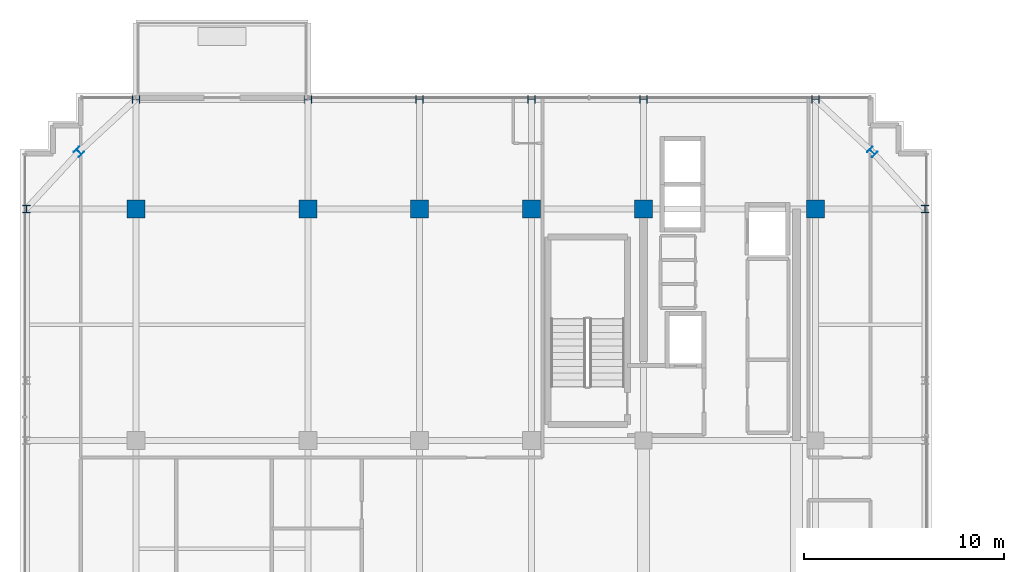
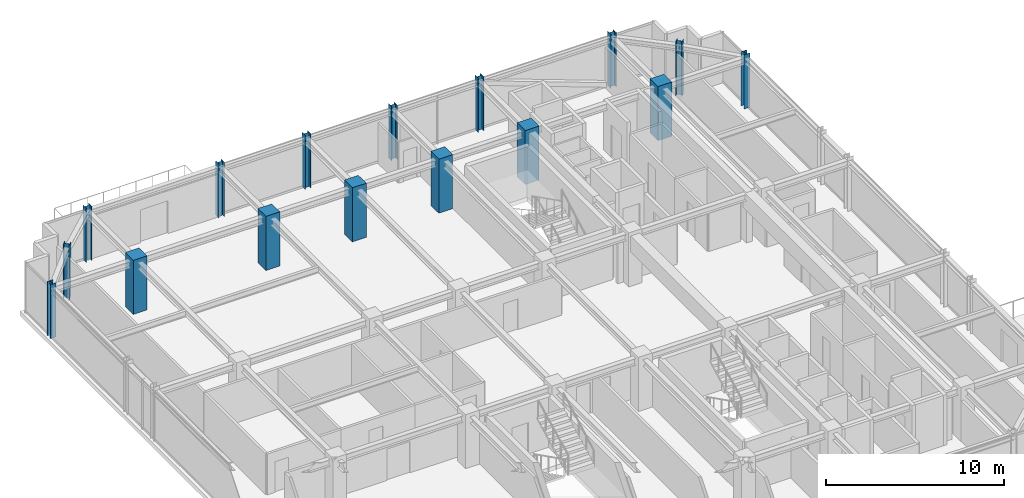
# One storey, part 3 of 31: 16 columns.
"""IFC4 building model written with IfcOpenShell, lengths in metres."""

from ifc_helpers import new_model, si_unit, direction, frame, origin, origin_2d, place, context, subcontext, project, spatial, rectangle, i_section, extrude, source, transform, mapped, material, material_profile, profile_set, type_object, element, save


model = new_model("IFC4")

# Units and contexts
model_context = context("Model", 3, precision=1e-05, world=origin(), true_north=direction((0.0, 1.0)))
body_context = subcontext(model_context, "Body", "Model", "MODEL_VIEW")
ifc_project = project(units=[si_unit("LENGTHUNIT", "METRE"), si_unit("AREAUNIT", "SQUARE_METRE"), si_unit("VOLUMEUNIT", "CUBIC_METRE"), si_unit("PLANEANGLEUNIT", "RADIAN"), si_unit("MASSUNIT", "GRAM", prefix="KILO")], contexts=[model_context])

# Site, building, storey
site_placement = place(None, origin())
site = spatial("IfcSite", under=ifc_project, at=site_placement, CompositionType="ELEMENT")
building_placement = place(site_placement, origin())
building = spatial("IfcBuilding", under=site, at=building_placement, Name="Nahalor Promenade Grand Hotel", CompositionType="ELEMENT")
storey_placement = place(building_placement, frame((0.0, 0.0, 281.300048828125)))
storey = spatial("IfcBuildingStorey", under=building, at=storey_placement, Name="L72", CompositionType="ELEMENT", Elevation=281.300048828125)

# Columns
ifc_material_1 = material(Name="Concrete B-50 (C40/50)", Category="concrete")
ifc_material_profile_1 = material_profile(ifc_material_1, rectangle(XDim=0.9, YDim=0.9, at=origin_2d()), Name="RC 900x900")
ifc_profile_set_1 = profile_set([ifc_material_profile_1], Name="Concrete B-50 (C40/50)")
column_type_1 = type_object("IfcColumnType", Name="Col-RC-900", PredefinedType="COLUMN", material=ifc_profile_set_1)
shared_shape_1 = source(origin(), body_context, "Body", "SweptSolid", [
    extrude(rectangle(XDim=0.9, YDim=0.9, at=origin_2d()), origin(), (0.0, 0.0, 1.0), 3.704833984375),
])
for number, where, z_axis, x_axis, name in (
    (1, (-17.0, 17.0, 0.0), (0.0, 0.0, 1.0), (1.0, 0.0, 0.0), "COL-L72-I03"),
    (2, (-8.39990234375, 17.0, 0.0), (0.0, 0.0, 1.0), (1.0, 0.0, 0.0), "COL-L72-I13"),
    (3, (-2.800048828125, 17.0, 0.0), (0.0, 0.0, 1.0), (1.0, 0.0, 0.0), "COL-L72-I23"),
    (4, (2.800048828125, 17.0, 0.0), (0.0, 0.0, 1.0), (1.0, 0.0, 0.0), "COL-L72-I33"),
    (5, (8.39990234375, 17.0, 0.0), (0.0, 0.0, 1.0), (1.0, 0.0, 0.0), "COL-L72-I43"),
    (6, (17.0, 17.0, 0.0), (0.0, 0.0, 1.0), (1.0, 0.0, 0.0), "COL-L72-I53"),
):
    element("IfcColumn", number, at=place(storey_placement, frame(where, z_axis=z_axis, x_axis=x_axis)), inside=storey, type_object=column_type_1, Name=name, PredefinedType="COLUMN", context=body_context, shape_type="MappedRepresentation", body=[
        mapped(shared_shape_1, transform((0.0, 0.0, 0.0), scale=1.0)),
    ])
ifc_material_2 = material(Name="Steel S355JR", Category="steel")
ifc_material_profile_2 = material_profile(ifc_material_2, i_section(OverallWidth=0.374, OverallDepth=0.374, WebThickness=0.0144, FlangeThickness=0.0229, at=origin_2d()), Name="HD 360x262")
ifc_profile_set_2 = profile_set([ifc_material_profile_2], Name="Steel S355JR")
column_type_2 = type_object("IfcColumnType", Name="Col-Steel-HD262", PredefinedType="COLUMN", material=ifc_profile_set_2)
shared_shape_2 = source(origin(), body_context, "Body", "SweptSolid", [
    extrude(i_section(OverallWidth=0.374, OverallDepth=0.374, WebThickness=0.0144, FlangeThickness=0.0229, at=origin_2d()), origin(), (0.0, 0.0, 1.0), 3.704833984375),
])
for number, where, z_axis, x_axis, name in (
    (7, (-22.47998046875, 17.0, 0.0), (0.0, 0.0, 1.0), (1.0, 0.0, 0.0), "COL-L72-PW-W5"),
    (8, (22.47998046875, 17.0, 0.0), (0.0, 0.0, 1.0), (1.0, 0.0, 0.0), "COL-L72-PW-E5"),
    (9, (-17.0, 22.47998046875, 0.0), (0.0, 0.0, 1.0), (0.0, 1.0, 0.0), "COL-L72-PN-N0"),
    (10, (-8.39990234375, 22.47998046875, 0.0), (0.0, 0.0, 1.0), (0.0, 1.0, 0.0), "COL-L72-PN-N1"),
    (11, (-2.800048828125, 22.47998046875, 0.0), (0.0, 0.0, 1.0), (0.0, 1.0, 0.0), "COL-L72-PN-N2"),
    (12, (2.800048828125, 22.47998046875, 0.0), (0.0, 0.0, 1.0), (0.0, 1.0, 0.0), "COL-L72-PN-N3"),
    (13, (8.39990234375, 22.47998046875, 0.0), (0.0, 0.0, 1.0), (0.0, 1.0, 0.0), "COL-L72-PN-N4"),
    (14, (17.0, 22.47998046875, 0.0), (0.0, 0.0, 1.0), (0.0, 1.0, 0.0), "COL-L72-PN-N5"),
    (15, (-19.85009765625, 19.85009765625, 0.0), (0.0, 0.0, 1.0), (0.707106781187, 0.707106781187, 0.0), "COL-L72-CRN-NW"),
    (16, (19.85009765625, 19.85009765625, 0.0), (0.0, 0.0, 1.0), (0.707106781187, 0.707106781187, 0.0), "COL-L72-CRN-NE"),
):
    element("IfcColumn", number, at=place(storey_placement, frame(where, z_axis=z_axis, x_axis=x_axis)), inside=storey, type_object=column_type_2, Name=name, PredefinedType="COLUMN", context=body_context, shape_type="MappedRepresentation", body=[
        mapped(shared_shape_2, transform((0.0, 0.0, 0.0), scale=1.0)),
    ])

save(model, "model.ifc")
